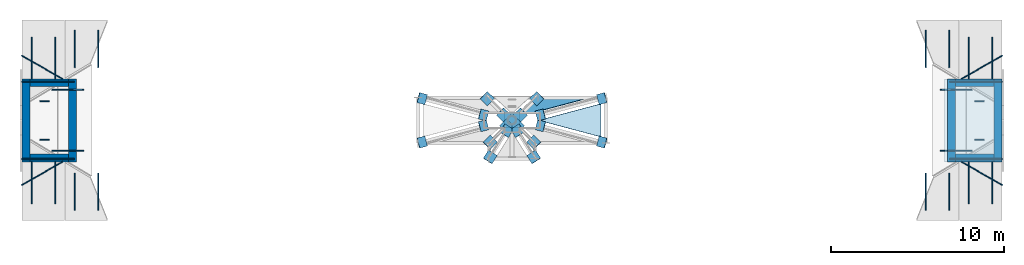
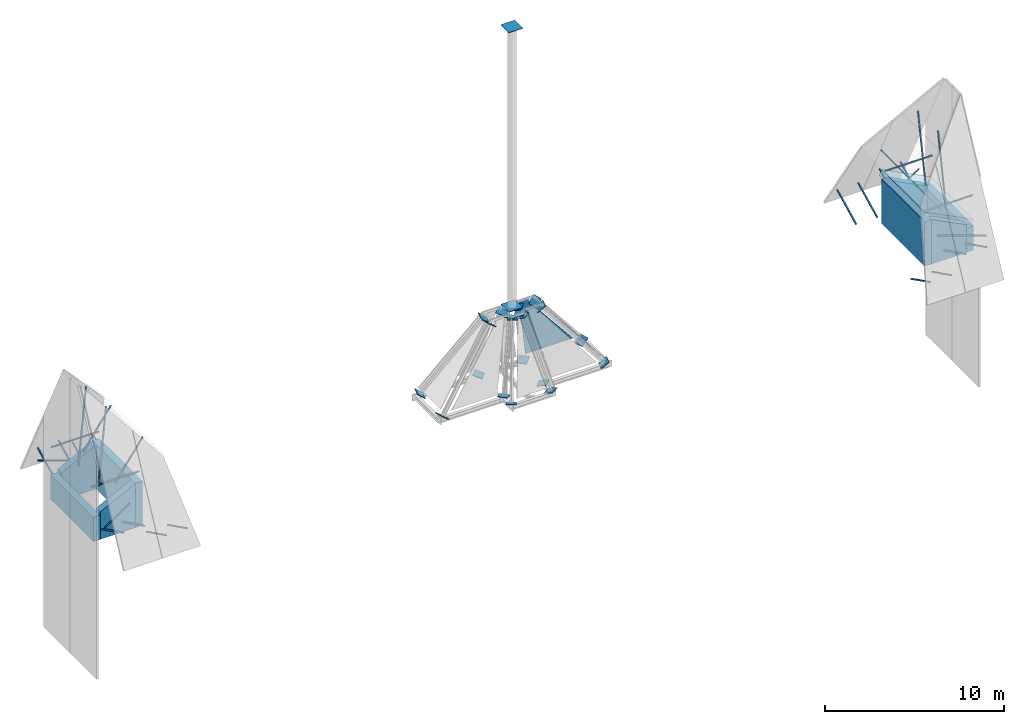
# One storey, part 2 of 4: 54 discrete accessories, 8 walls, 2 plates, 1 slab, 2 elements without a shape of their own.
"""IFC4 building model written with IfcOpenShell, lengths in metres."""

from ifc_helpers import new_model, si_unit, direction, frame, frame_2d, origin, origin_2d, place, context, subcontext, project, spatial, polyline, rectangle, outline, extrude, material, layer, layer_set, material_profile, profile_set, type_object, element, aggregate, save


model = new_model("IFC4")

# Units and contexts
model_context = context("Model", 3, precision=1e-05, world=origin(), true_north=direction((0.0, 1.0)))
body_context = subcontext(model_context, "Body", "Model", "MODEL_VIEW")
ifc_project = project(units=[si_unit("LENGTHUNIT", "METRE"), si_unit("AREAUNIT", "SQUARE_METRE"), si_unit("VOLUMEUNIT", "CUBIC_METRE"), si_unit("PLANEANGLEUNIT", "RADIAN"), si_unit("MASSUNIT", "GRAM", prefix="KILO")], contexts=[model_context])

# Site, building, storey
site_placement = place(None, origin())
site = spatial("IfcSite", under=ifc_project, at=site_placement, CompositionType="ELEMENT")
building_placement = place(site_placement, origin())
building = spatial("IfcBuilding", under=site, at=building_placement, Name="Perihelion Cross Residences", CompositionType="ELEMENT")
storey_placement = place(building_placement, frame((0.0, 0.0, 321.300048828125)))
storey = spatial("IfcBuildingStorey", under=building, at=storey_placement, Name="L81", CompositionType="ELEMENT", Elevation=321.300048828125)

# Curtain wall, plate
ifc_material_1 = material(Name="Bronze anodised aluminium, tinted glazing", Category="aluminium")
curtain_wall_type = type_object("IfcCurtainWallType", Name="CW6", PredefinedType="NOTDEFINED", material=ifc_material_1)
curtain_wall_1_placement = place(storey_placement, origin())
curtain_wall_1 = element("IfcCurtainWall", 1, at=curtain_wall_1_placement, inside=storey, type_object=curtain_wall_type, Name="Curtain wall CW6 L81 crown 1", PredefinedType="NOTDEFINED")
ifc_material_2 = material(Name="Bronze anodised aluminium", Category="aluminium")
ifc_layer_1 = layer(ifc_material_2, 0.033935546875)
ifc_layer_set_1 = layer_set([ifc_layer_1], Name="CW6 metal panel")
plate_type_1 = type_object("IfcPlateType", Name="CW6 metal panel", PredefinedType="CURTAIN_PANEL", material=ifc_layer_set_1)
plate_1_placement = place(storey_placement, frame((1.64404296875, 0.026123046875, 4.472412109375), z_axis=(0.785196175339, 0.0, 0.619247096265), x_axis=(0.61099010279, 0.162757653261, -0.774726429521)))
plate_1 = element("IfcPlate", 2, at=plate_1_placement, type_object=plate_type_1, Name="Curtain wall panel CW6-PM L81 crown 1", PredefinedType="CURTAIN_PANEL", context=body_context, shape_type="SweptSolid", body=[
    extrude(outline(polyline([(0.0, 0.0), (5.7375974150305975, 0.0), (5.425115436211728, -1.8943217833876482), (-0.008503451610788176, -0.05154944832718168), (0.0, 0.0)])), origin(), (0.0, 0.0, -1.0), 0.033935546875),
])
aggregate(curtain_wall_1, [plate_1])

curtain_wall_2_placement = place(storey_placement, origin())
curtain_wall_2 = element("IfcCurtainWall", 3, at=curtain_wall_2_placement, inside=storey, type_object=curtain_wall_type, Name="Curtain wall CW6 L81 crown 2", PredefinedType="NOTDEFINED")
ifc_material_3 = material(Name="Tinted laminated glass", Category="glass")
ifc_layer_2 = layer(ifc_material_3, 0.033935546875)
ifc_layer_set_2 = layer_set([ifc_layer_2], Name="CW6 panel")
plate_type_2 = type_object("IfcPlateType", Name="CW6 panel", PredefinedType="CURTAIN_PANEL", material=ifc_layer_set_2)
plate_2_placement = place(storey_placement, frame((0.70556640625, 0.439208984375, 4.465576171875), z_axis=(1.3333313e-05, 0.978648409427, 0.205541457006), x_axis=(0.201425224162, 0.201326029285, -0.958590480343)))
plate_2 = element("IfcPlate", 4, at=plate_2_placement, type_object=plate_type_2, Name="Curtain wall panel CW6-P L81 crown 2", PredefinedType="CURTAIN_PANEL", context=body_context, shape_type="SweptSolid", body=[
    extrude(outline(polyline([(0.0, 0.0), (4.622818954416114, -1.1102230246251565e-16), (5.2361430256446395, -2.982512834315539), (0.25441176676542526, -0.5461302370703291), (0.22304659461262882, -0.6104060025592729), (0.14338211907342793, -0.5672176334244264), (0.124022074056955, -0.6031027395881807), (0.0, 0.0)])), origin(), (0.0, 0.0, -1.0), 0.033935546875),
])
aggregate(curtain_wall_2, [plate_2])

# Slab
ifc_material_4 = material(Name="Concrete C50/60", Category="concrete")
ifc_layer_3 = layer(ifc_material_4, 0.39990234375)
ifc_layer_set_3 = layer_set([ifc_layer_3], Name="Stack roof slab 400")
slab_type = type_object("IfcSlabType", Name="Stack roof slab 400", PredefinedType="ROOF", material=ifc_layer_set_3)
slab_placement = place(storey_placement, frame((25.199951171875, -2.39990234375, 3.699951171875), z_axis=(0.452870687961, 0.0, 0.89157621098), x_axis=(0.89157621098, 0.0, -0.452870687961)))
element("IfcSlab", 5, at=slab_placement, inside=storey, type_object=slab_type, Name="East core stack cap", PredefinedType="ROOF", context=body_context, shape_type="SweptSolid", body=[
    extrude(outline(polyline([(0.0, 0.0), (3.5332329929622412, 0.0), (3.5332329929622412, 4.7998046875), (0.0, 4.7998046875), (0.0, 0.0)])), origin(), (0.0, 0.0, -1.0), 0.39990234375),
])

# Walls
ifc_material_5 = material(Name="Concrete C60/75", Category="concrete")
ifc_layer_4 = layer(ifc_material_5, 0.449951171875)
ifc_layer_set_4 = layer_set([ifc_layer_4], Name="Core wall, outer 450")
wall_type = type_object("IfcWallType", Name="Core wall, outer 450", PredefinedType="SHEAR", material=ifc_layer_set_4)
wall_1_placement = place(storey_placement, frame((25.425048828125, -2.39990234375, 0.0), z_axis=(0.0, 0.0, 1.0), x_axis=(0.0, 1.0, 0.0)))
element("IfcWall", 6, at=wall_1_placement, inside=storey, type_object=wall_type, Name="East core stack wall, step 3", PredefinedType="SHEAR", context=body_context, shape_type="SweptSolid", body=[
    extrude(rectangle(XDim=4.7998046875, YDim=0.449951171875, at=frame_2d((2.39990234375, 0.0))), origin(), (0.0, 0.0, 1.0), 3.022705078125),
])
wall_2_placement = place(storey_placement, frame((28.125, -2.39990234375, 0.0), z_axis=(0.0, 0.0, 1.0), x_axis=(0.0, 1.0, 0.0)))
element("IfcWall", 7, at=wall_2_placement, inside=storey, type_object=wall_type, Name="East core stack wall, step 3", PredefinedType="SHEAR", context=body_context, shape_type="SweptSolid", body=[
    extrude(rectangle(XDim=4.7998046875, YDim=0.449951171875, at=frame_2d((2.39990234375, 0.0))), origin(), (0.0, 0.0, 1.0), 1.6513671875),
])
for number, where, z_axis, x_axis, name in (
    (8, (25.64990234375, 2.175048828125, 0.0), (0.0, 0.0, 1.0), (1.0, 0.0, 0.0), "East core stack wall, step 3"),
    (9, (25.64990234375, -2.175048828125, 0.0), (0.0, 0.0, 1.0), (1.0, 0.0, 0.0), "East core stack wall, step 3"),
):
    element("IfcWall", number, at=place(storey_placement, frame(where, z_axis=z_axis, x_axis=x_axis)), inside=storey, type_object=wall_type, Name=name, PredefinedType="SHEAR", context=body_context, shape_type="SweptSolid", body=[
        extrude(outline(polyline([(0.0, 0.0), (2.25, 0.0), (2.25, 1.8798828125), (0.0, 3.022705078125), (0.0, 0.0)])), frame((0.0, 0.22509765625, 0.0), z_axis=(0.0, -1.0, 0.0), x_axis=(1.0, 0.0, 0.0)), (0.0, 0.0, 1.0), 0.449951171875),
    ])
wall_3_placement = place(storey_placement, frame((-25.425048828125, -2.39990234375, 0.0), z_axis=(0.0, 0.0, 1.0), x_axis=(0.0, 1.0, 0.0)))
element("IfcWall", 10, at=wall_3_placement, inside=storey, type_object=wall_type, Name="West core stack wall, step 3", PredefinedType="SHEAR", context=body_context, shape_type="SweptSolid", body=[
    extrude(rectangle(XDim=4.7998046875, YDim=0.449951171875, at=frame_2d((2.39990234375, 0.0))), origin(), (0.0, 0.0, 1.0), 3.022705078125),
])
wall_4_placement = place(storey_placement, frame((-28.125, -2.39990234375, 0.0), z_axis=(0.0, 0.0, 1.0), x_axis=(0.0, 1.0, 0.0)))
element("IfcWall", 11, at=wall_4_placement, inside=storey, type_object=wall_type, Name="West core stack wall, step 3", PredefinedType="SHEAR", context=body_context, shape_type="SweptSolid", body=[
    extrude(rectangle(XDim=4.7998046875, YDim=0.449951171875, at=frame_2d((2.39990234375, 0.0))), origin(), (0.0, 0.0, 1.0), 1.6513671875),
])
for number, where, z_axis, x_axis, name in (
    (12, (-25.64990234375, 2.175048828125, 0.0), (0.0, 0.0, 1.0), (-1.0, 0.0, 0.0), "West core stack wall, step 3"),
    (13, (-25.64990234375, -2.175048828125, 0.0), (0.0, 0.0, 1.0), (-1.0, 0.0, 0.0), "West core stack wall, step 3"),
):
    element("IfcWall", number, at=place(storey_placement, frame(where, z_axis=z_axis, x_axis=x_axis)), inside=storey, type_object=wall_type, Name=name, PredefinedType="SHEAR", context=body_context, shape_type="SweptSolid", body=[
        extrude(outline(polyline([(0.0, 0.0), (2.25, 0.0), (2.25, 1.8798828125), (0.0, 3.022705078125), (0.0, 0.0)])), frame((0.0, 0.22509765625, 0.0), z_axis=(0.0, -1.0, 0.0), x_axis=(1.0, 0.0, 0.0)), (0.0, 0.0, 1.0), 0.449951171875),
    ])

# Discrete accessories
ifc_material_6 = material(Name="Structural steel S355 plate", Category="steel")
ifc_material_profile_1 = material_profile(ifc_material_6, rectangle(XDim=0.60009765625, YDim=0.60009765625, at=origin_2d()), Name="Crown gusset plate")
ifc_profile_set_1 = profile_set([ifc_material_profile_1], Name="Structural steel S355 plate")
discrete_accessory_type_1 = type_object("IfcDiscreteAccessoryType", Name="Crown gusset plate", PredefinedType="BRACKET", material=ifc_profile_set_1)
for number, where, z_axis, x_axis, name in (
    (14, (5.208740234375, -1.2607421875, -0.26171875), (-0.611354359454, 0.163027829188, 0.774382188642), (-0.25766265056, -0.966234939601, 0.0), "Crown gusset plate"),
    (15, (1.65673828125, -0.31494140625, 4.23828125), (-0.611354359454, 0.163027829188, 0.774382188642), (-0.25766265056, -0.966234939601, 0.0), "Crown gusset plate"),
    (16, (5.208740234375, 1.2607421875, -0.26171875), (-0.611354359454, -0.163027829188, 0.774382188642), (0.25766265056, -0.966234939601, 0.0), "Crown gusset plate"),
    (17, (1.65673828125, 0.31494140625, 4.23828125), (-0.611354359454, -0.163027829188, 0.774382188642), (0.25766265056, -0.966234939601, 0.0), "Crown gusset plate"),
    (18, (1.433349609375, 1.26123046875, -0.264404296875), (-0.203278907045, -0.195147750764, 0.959476441254), (0.69253182819, -0.721387321031, 0.0), "Crown gusset plate"),
    (19, (0.487548828125, 0.3154296875, 4.235595703125), (-0.203278907045, -0.195147750764, 0.959476441254), (0.69253182819, -0.721387321031, 0.0), "Crown gusset plate"),
    (20, (-1.433349609375, 1.26123046875, -0.264404296875), (0.203278907045, -0.195147750764, 0.959476441254), (0.69253182819, 0.721387321031, 0.0), "Crown gusset plate"),
    (21, (-0.487548828125, 0.3154296875, 4.235595703125), (0.203278907045, -0.195147750764, 0.959476441254), (0.69253182819, 0.721387321031, 0.0), "Crown gusset plate"),
    (22, (-5.208740234375, 1.2607421875, -0.26171875), (0.611354359454, -0.163027829188, 0.774382188642), (0.25766265056, 0.966234939601, 0.0), "Crown gusset plate"),
    (23, (-1.65673828125, 0.31494140625, 4.23828125), (0.611354359454, -0.163027829188, 0.774382188642), (0.25766265056, 0.966234939601, 0.0), "Crown gusset plate"),
    (24, (-5.208740234375, -1.2607421875, -0.26171875), (0.611354359454, 0.163027829188, 0.774382188642), (-0.25766265056, 0.966234939601, 0.0), "Crown gusset plate"),
    (25, (-1.65673828125, -0.31494140625, 4.23828125), (0.611354359454, 0.163027829188, 0.774382188642), (-0.25766265056, 0.966234939601, 0.0), "Crown gusset plate"),
    (26, (-1.26123046875, -1.26123046875, -0.264404296875), (0.195464628005, 0.195464628005, 0.961034421026), (-0.707106781187, 0.707106781187, 0.0), "Crown gusset plate"),
    (27, (-0.3154296875, -0.3154296875, 4.235595703125), (0.195464628005, 0.195464628005, 0.961034421026), (-0.707106781187, 0.707106781187, 0.0), "Crown gusset plate"),
    (28, (-1.26123046875, -2.12109375, -0.263916015625), (0.195854751395, 0.310103356376, 0.930310069128), (-0.845488903031, 0.533992991388, 0.0), "Crown gusset plate"),
    (29, (-0.3154296875, -0.60791015625, 4.236083984375), (0.195854751395, 0.310103356376, 0.930310069128), (-0.845488903031, 0.533992991388, 0.0), "Crown gusset plate"),
    (30, (1.26123046875, -2.12109375, -0.263916015625), (-0.195854751395, 0.310103356376, 0.930310069128), (-0.845488903031, -0.533992991388, 0.0), "Crown gusset plate"),
    (31, (0.3154296875, -0.60791015625, 4.236083984375), (-0.195854751395, 0.310103356376, 0.930310069128), (-0.845488903031, -0.533992991388, 0.0), "Crown gusset plate"),
    (32, (1.26123046875, -1.26123046875, -0.264404296875), (-0.195464628005, 0.195464628005, 0.961034421026), (-0.707106781187, -0.707106781187, 0.0), "Crown gusset plate"),
    (33, (0.3154296875, -0.3154296875, 4.235595703125), (-0.195464628005, 0.195464628005, 0.961034421026), (-0.707106781187, -0.707106781187, 0.0), "Crown gusset plate"),
):
    element("IfcDiscreteAccessory", number, at=place(storey_placement, frame(where, z_axis=z_axis, x_axis=x_axis)), inside=storey, type_object=discrete_accessory_type_1, Name=name, PredefinedType="BRACKET", context=body_context, shape_type="SweptSolid", body=[
        extrude(rectangle(XDim=0.60009765625, YDim=0.60009765625, at=origin_2d()), origin(), (0.0, 0.0, 1.0), 0.030029296875),
    ])
ifc_material_7 = material(Name="Stainless steel", Category="steel")
ifc_material_profile_2 = material_profile(ifc_material_7, rectangle(XDim=0.06005859375, YDim=0.06005859375, at=origin_2d()), Name="Pylon facet bracket")
ifc_profile_set_2 = profile_set([ifc_material_profile_2], Name="Stainless steel")
discrete_accessory_type_2 = type_object("IfcDiscreteAccessoryType", Name="Pylon facet bracket", PredefinedType="BRACKET", material=ifc_profile_set_2)
for number, where, z_axis, x_axis, name in (
    (34, (25.290283203125, 5.19970703125, 1.06787109375), (0.0, -0.894427191, -0.4472135955), (1.0, 0.0, 0.0), "Pylon facet bracket, east stack"),
    (35, (23.93994140625, 5.19970703125, 1.06787109375), (0.0, -0.894427191, -0.4472135955), (1.0, 0.0, 0.0), "Pylon facet bracket, east stack"),
):
    element("IfcDiscreteAccessory", number, at=place(storey_placement, frame(where, z_axis=z_axis, x_axis=x_axis)), inside=storey, type_object=discrete_accessory_type_2, Name=name, PredefinedType="BRACKET", context=body_context, shape_type="SweptSolid", body=[
        extrude(rectangle(XDim=0.06005859375, YDim=0.06005859375, at=origin_2d()), origin(), (0.0, 0.0, 1.0), 2.387939453125),
    ])
for number, where, z_axis, x_axis, name in (
    (36, (27.78759765625, 4.802734375, 1.86181640625), (0.0, -0.894427191, -0.4472135955), (1.0, 0.0, 0.0), "Pylon facet bracket, east stack"),
    (37, (26.437255859375, 4.802734375, 1.86181640625), (0.0, -0.894427191, -0.4472135955), (1.0, 0.0, 0.0), "Pylon facet bracket, east stack"),
):
    element("IfcDiscreteAccessory", number, at=place(storey_placement, frame(where, z_axis=z_axis, x_axis=x_axis)), inside=storey, type_object=discrete_accessory_type_2, Name=name, PredefinedType="BRACKET", context=body_context, shape_type="SweptSolid", body=[
        extrude(rectangle(XDim=0.06005859375, YDim=0.06005859375, at=origin_2d()), origin(), (0.0, 0.0, 1.0), 2.6865234375),
    ])
for number, where, z_axis, x_axis, name in (
    (38, (23.93994140625, -5.19970703125, 1.06787109375), (0.0, 0.894427191, -0.4472135955), (-1.0, 0.0, 0.0), "Pylon facet bracket, east stack"),
    (39, (25.290283203125, -5.19970703125, 1.06787109375), (0.0, 0.894427191, -0.4472135955), (-1.0, 0.0, 0.0), "Pylon facet bracket, east stack"),
):
    element("IfcDiscreteAccessory", number, at=place(storey_placement, frame(where, z_axis=z_axis, x_axis=x_axis)), inside=storey, type_object=discrete_accessory_type_2, Name=name, PredefinedType="BRACKET", context=body_context, shape_type="SweptSolid", body=[
        extrude(rectangle(XDim=0.06005859375, YDim=0.06005859375, at=origin_2d()), origin(), (0.0, 0.0, 1.0), 2.387939453125),
    ])
for number, where, z_axis, x_axis, name in (
    (40, (26.437255859375, -4.802734375, 1.86181640625), (0.0, 0.894427191, -0.4472135955), (-1.0, 0.0, 0.0), "Pylon facet bracket, east stack"),
    (41, (27.78759765625, -4.802734375, 1.86181640625), (0.0, 0.894427191, -0.4472135955), (-1.0, 0.0, 0.0), "Pylon facet bracket, east stack"),
):
    element("IfcDiscreteAccessory", number, at=place(storey_placement, frame(where, z_axis=z_axis, x_axis=x_axis)), inside=storey, type_object=discrete_accessory_type_2, Name=name, PredefinedType="BRACKET", context=body_context, shape_type="SweptSolid", body=[
        extrude(rectangle(XDim=0.06005859375, YDim=0.06005859375, at=origin_2d()), origin(), (0.0, 0.0, 1.0), 2.6865234375),
    ])
discrete_accessory_1_placement = place(storey_placement, frame((28.3798828125, -3.752197265625, 1.809326171875), z_axis=(-0.86872148224, 0.495300904799, 0.0), x_axis=(-0.495300904799, -0.86872148224, 0.0)))
element("IfcDiscreteAccessory", 42, at=discrete_accessory_1_placement, inside=storey, type_object=discrete_accessory_type_2, Name="Pylon facet bracket, east stack", PredefinedType="BRACKET", context=body_context, shape_type="SweptSolid", body=[
    extrude(rectangle(XDim=0.06005859375, YDim=0.06005859375, at=origin_2d()), origin(), (0.0, 0.0, 1.0), 2.730224609375),
])
for number, where, z_axis, x_axis, name in (
    (43, (28.3798828125, -2.236572265625, 3.637451171875), (-1.0, 0.0, 0.0), (0.0, -1.0, 0.0), "Pylon facet bracket, east stack"),
    (44, (28.3798828125, 2.236572265625, 3.637451171875), (-1.0, 0.0, 0.0), (0.0, -1.0, 0.0), "Pylon facet bracket, east stack"),
):
    element("IfcDiscreteAccessory", number, at=place(storey_placement, frame(where, z_axis=z_axis, x_axis=x_axis)), inside=storey, type_object=discrete_accessory_type_2, Name=name, PredefinedType="BRACKET", context=body_context, shape_type="SweptSolid", body=[
        extrude(rectangle(XDim=0.06005859375, YDim=0.06005859375, at=origin_2d()), origin(), (0.0, 0.0, 1.0), 3.056884765625),
    ])
discrete_accessory_2_placement = place(storey_placement, frame((28.3798828125, 3.752197265625, 1.809326171875), z_axis=(-0.86872148224, -0.495300904799, 0.0), x_axis=(0.495300904799, -0.86872148224, 0.0)))
element("IfcDiscreteAccessory", 45, at=discrete_accessory_2_placement, inside=storey, type_object=discrete_accessory_type_2, Name="Pylon facet bracket, east stack", PredefinedType="BRACKET", context=body_context, shape_type="SweptSolid", body=[
    extrude(rectangle(XDim=0.06005859375, YDim=0.06005859375, at=origin_2d()), origin(), (0.0, 0.0, 1.0), 2.730224609375),
])
for number, where, z_axis, x_axis, name in (
    (46, (24.816650390625, 1.771728515625, 5.506591796875), (0.578370431925, 0.0, -0.81577426012), (0.0, 1.0, 0.0), "Pylon facet bracket, east stack"),
    (47, (24.816650390625, -1.771728515625, 5.506591796875), (0.578370431925, 0.0, -0.81577426012), (0.0, 1.0, 0.0), "Pylon facet bracket, east stack"),
):
    element("IfcDiscreteAccessory", number, at=place(storey_placement, frame(where, z_axis=z_axis, x_axis=x_axis)), inside=storey, type_object=discrete_accessory_type_2, Name=name, PredefinedType="BRACKET", context=body_context, shape_type="SweptSolid", body=[
        extrude(rectangle(XDim=0.06005859375, YDim=0.06005859375, at=origin_2d()), origin(), (0.0, 0.0, 1.0), 3.088134765625),
    ])
for number, where, z_axis, x_axis, name in (
    (48, (26.796875, 1.1181640625, 7.883056640625), (0.094535862517, 0.0, -0.995521456674), (0.0, 1.0, 0.0), "Pylon facet bracket, east stack"),
    (49, (26.796875, -1.1181640625, 7.883056640625), (0.094535862517, 0.0, -0.995521456674), (0.0, 1.0, 0.0), "Pylon facet bracket, east stack"),
):
    element("IfcDiscreteAccessory", number, at=place(storey_placement, frame(where, z_axis=z_axis, x_axis=x_axis)), inside=storey, type_object=discrete_accessory_type_2, Name=name, PredefinedType="BRACKET", context=body_context, shape_type="SweptSolid", body=[
        extrude(rectangle(XDim=0.06005859375, YDim=0.06005859375, at=origin_2d()), origin(), (0.0, 0.0, 1.0), 5.27099609375),
    ])
for number, where, z_axis, x_axis, name in (
    (50, (-25.290283203125, 5.19970703125, 1.06787109375), (0.0, -0.894427191, -0.4472135955), (1.0, 0.0, 0.0), "Pylon facet bracket, west stack"),
    (51, (-23.93994140625, 5.19970703125, 1.06787109375), (0.0, -0.894427191, -0.4472135955), (1.0, 0.0, 0.0), "Pylon facet bracket, west stack"),
):
    element("IfcDiscreteAccessory", number, at=place(storey_placement, frame(where, z_axis=z_axis, x_axis=x_axis)), inside=storey, type_object=discrete_accessory_type_2, Name=name, PredefinedType="BRACKET", context=body_context, shape_type="SweptSolid", body=[
        extrude(rectangle(XDim=0.06005859375, YDim=0.06005859375, at=origin_2d()), origin(), (0.0, 0.0, 1.0), 2.387939453125),
    ])
for number, where, z_axis, x_axis, name in (
    (52, (-27.78759765625, 4.802734375, 1.86181640625), (0.0, -0.894427191, -0.4472135955), (1.0, 0.0, 0.0), "Pylon facet bracket, west stack"),
    (53, (-26.437255859375, 4.802734375, 1.86181640625), (0.0, -0.894427191, -0.4472135955), (1.0, 0.0, 0.0), "Pylon facet bracket, west stack"),
):
    element("IfcDiscreteAccessory", number, at=place(storey_placement, frame(where, z_axis=z_axis, x_axis=x_axis)), inside=storey, type_object=discrete_accessory_type_2, Name=name, PredefinedType="BRACKET", context=body_context, shape_type="SweptSolid", body=[
        extrude(rectangle(XDim=0.06005859375, YDim=0.06005859375, at=origin_2d()), origin(), (0.0, 0.0, 1.0), 2.6865234375),
    ])
for number, where, z_axis, x_axis, name in (
    (54, (-23.93994140625, -5.19970703125, 1.06787109375), (0.0, 0.894427191, -0.4472135955), (-1.0, 0.0, 0.0), "Pylon facet bracket, west stack"),
    (55, (-25.290283203125, -5.19970703125, 1.06787109375), (0.0, 0.894427191, -0.4472135955), (-1.0, 0.0, 0.0), "Pylon facet bracket, west stack"),
):
    element("IfcDiscreteAccessory", number, at=place(storey_placement, frame(where, z_axis=z_axis, x_axis=x_axis)), inside=storey, type_object=discrete_accessory_type_2, Name=name, PredefinedType="BRACKET", context=body_context, shape_type="SweptSolid", body=[
        extrude(rectangle(XDim=0.06005859375, YDim=0.06005859375, at=origin_2d()), origin(), (0.0, 0.0, 1.0), 2.387939453125),
    ])
for number, where, z_axis, x_axis, name in (
    (56, (-26.437255859375, -4.802734375, 1.86181640625), (0.0, 0.894427191, -0.4472135955), (-1.0, 0.0, 0.0), "Pylon facet bracket, west stack"),
    (57, (-27.78759765625, -4.802734375, 1.86181640625), (0.0, 0.894427191, -0.4472135955), (-1.0, 0.0, 0.0), "Pylon facet bracket, west stack"),
):
    element("IfcDiscreteAccessory", number, at=place(storey_placement, frame(where, z_axis=z_axis, x_axis=x_axis)), inside=storey, type_object=discrete_accessory_type_2, Name=name, PredefinedType="BRACKET", context=body_context, shape_type="SweptSolid", body=[
        extrude(rectangle(XDim=0.06005859375, YDim=0.06005859375, at=origin_2d()), origin(), (0.0, 0.0, 1.0), 2.6865234375),
    ])
discrete_accessory_3_placement = place(storey_placement, frame((-28.3798828125, -3.752197265625, 1.809326171875), z_axis=(0.86872148224, 0.495300904799, 0.0), x_axis=(-0.495300904799, 0.86872148224, 0.0)))
element("IfcDiscreteAccessory", 58, at=discrete_accessory_3_placement, inside=storey, type_object=discrete_accessory_type_2, Name="Pylon facet bracket, west stack", PredefinedType="BRACKET", context=body_context, shape_type="SweptSolid", body=[
    extrude(rectangle(XDim=0.06005859375, YDim=0.06005859375, at=origin_2d()), origin(), (0.0, 0.0, 1.0), 2.730224609375),
])
for number, where, z_axis, x_axis, name in (
    (59, (-28.3798828125, -2.236572265625, 3.637451171875), (1.0, 0.0, 0.0), (0.0, 1.0, 0.0), "Pylon facet bracket, west stack"),
    (60, (-28.3798828125, 2.236572265625, 3.637451171875), (1.0, 0.0, 0.0), (0.0, 1.0, 0.0), "Pylon facet bracket, west stack"),
):
    element("IfcDiscreteAccessory", number, at=place(storey_placement, frame(where, z_axis=z_axis, x_axis=x_axis)), inside=storey, type_object=discrete_accessory_type_2, Name=name, PredefinedType="BRACKET", context=body_context, shape_type="SweptSolid", body=[
        extrude(rectangle(XDim=0.06005859375, YDim=0.06005859375, at=origin_2d()), origin(), (0.0, 0.0, 1.0), 3.056884765625),
    ])
discrete_accessory_4_placement = place(storey_placement, frame((-28.3798828125, 3.752197265625, 1.809326171875), z_axis=(0.86872148224, -0.495300904799, 0.0), x_axis=(0.495300904799, 0.86872148224, 0.0)))
element("IfcDiscreteAccessory", 61, at=discrete_accessory_4_placement, inside=storey, type_object=discrete_accessory_type_2, Name="Pylon facet bracket, west stack", PredefinedType="BRACKET", context=body_context, shape_type="SweptSolid", body=[
    extrude(rectangle(XDim=0.06005859375, YDim=0.06005859375, at=origin_2d()), origin(), (0.0, 0.0, 1.0), 2.730224609375),
])
for number, where, z_axis, x_axis, name in (
    (62, (-24.816650390625, 1.771728515625, 5.506591796875), (-0.578370431925, 0.0, -0.81577426012), (0.0, -1.0, 0.0), "Pylon facet bracket, west stack"),
    (63, (-24.816650390625, -1.771728515625, 5.506591796875), (-0.578370431925, 0.0, -0.81577426012), (0.0, -1.0, 0.0), "Pylon facet bracket, west stack"),
):
    element("IfcDiscreteAccessory", number, at=place(storey_placement, frame(where, z_axis=z_axis, x_axis=x_axis)), inside=storey, type_object=discrete_accessory_type_2, Name=name, PredefinedType="BRACKET", context=body_context, shape_type="SweptSolid", body=[
        extrude(rectangle(XDim=0.06005859375, YDim=0.06005859375, at=origin_2d()), origin(), (0.0, 0.0, 1.0), 3.088134765625),
    ])
for number, where, z_axis, x_axis, name in (
    (64, (-26.796875, 1.1181640625, 7.883056640625), (-0.094535862517, 0.0, -0.995521456674), (0.0, -1.0, 0.0), "Pylon facet bracket, west stack"),
    (65, (-26.796875, -1.1181640625, 7.883056640625), (-0.094535862517, 0.0, -0.995521456674), (0.0, -1.0, 0.0), "Pylon facet bracket, west stack"),
):
    element("IfcDiscreteAccessory", number, at=place(storey_placement, frame(where, z_axis=z_axis, x_axis=x_axis)), inside=storey, type_object=discrete_accessory_type_2, Name=name, PredefinedType="BRACKET", context=body_context, shape_type="SweptSolid", body=[
        extrude(rectangle(XDim=0.06005859375, YDim=0.06005859375, at=origin_2d()), origin(), (0.0, 0.0, 1.0), 5.27099609375),
    ])
ifc_material_8 = material(Name="Structural steel S355 plate", Category="steel")
ifc_material_profile_3 = material_profile(ifc_material_8, rectangle(XDim=0.89990234375, YDim=0.89990234375, at=origin_2d()), Name="Spire base plate")
ifc_profile_set_3 = profile_set([ifc_material_profile_3], Name="Structural steel S355 plate")
discrete_accessory_type_3 = type_object("IfcDiscreteAccessoryType", Name="Spire base plate", PredefinedType="BRACKET", material=ifc_profile_set_3)
discrete_accessory_5_placement = place(storey_placement, frame((0.0, 0.0, 4.655029296875), z_axis=(0.0, 0.0, 1.0), x_axis=(1.0, 0.0, 0.0)))
element("IfcDiscreteAccessory", 66, at=discrete_accessory_5_placement, inside=storey, type_object=discrete_accessory_type_3, Name="Spire base plate", PredefinedType="BRACKET", context=body_context, shape_type="SweptSolid", body=[
    extrude(rectangle(XDim=0.89990234375, YDim=0.89990234375, at=origin_2d()), origin(), (0.0, 0.0, 1.0), 0.030029296875),
])
discrete_accessory_6_placement = place(storey_placement, frame((0.0, 0.0, 23.68505859375), z_axis=(0.0, 0.0, 1.0), x_axis=(1.0, 0.0, 0.0)))
element("IfcDiscreteAccessory", 67, at=discrete_accessory_6_placement, inside=storey, type_object=discrete_accessory_type_3, Name="Spire base plate", PredefinedType="BRACKET", context=body_context, shape_type="SweptSolid", body=[
    extrude(rectangle(XDim=0.89990234375, YDim=0.89990234375, at=origin_2d()), origin(), (0.0, 0.0, 1.0), 0.02978515625),
])

save(model, "model.ifc")
